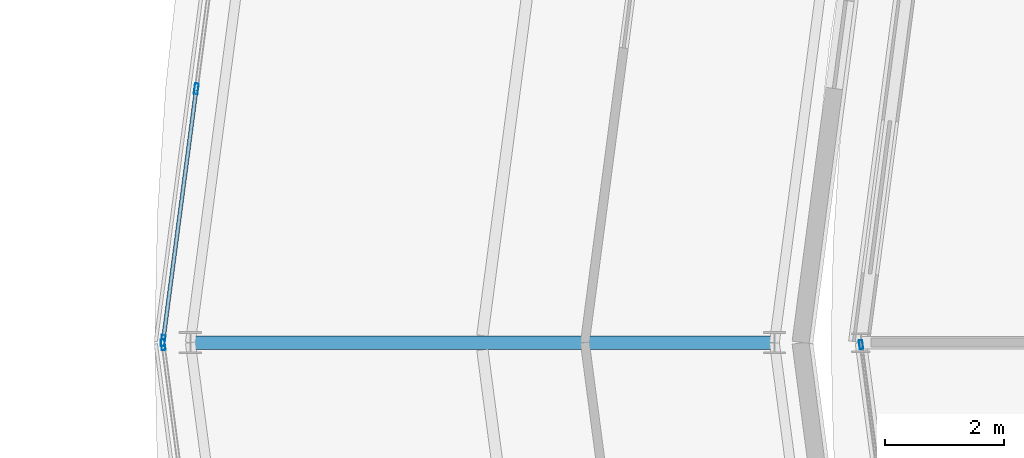
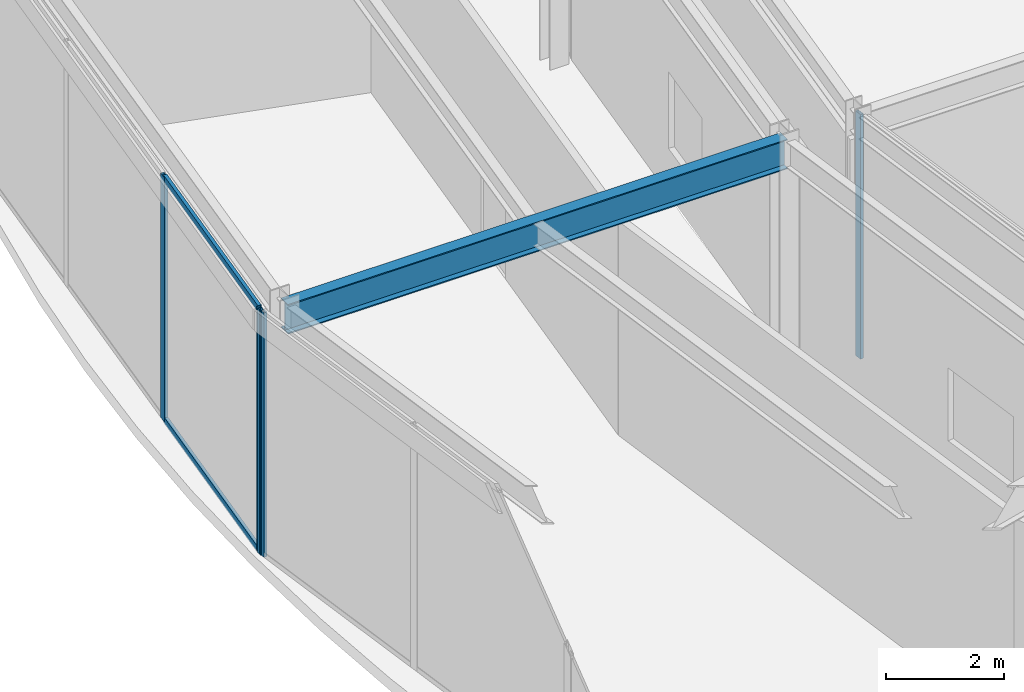
# One storey, part 37 of 168: 6 members, 1 beam, 3 elements without a shape of their own.
"""IFC4 building model written with IfcOpenShell, lengths in metres."""

import ifcopenshell
import ifcopenshell.guid

model = None  # the IFC model being written
_history = None  # IfcOwnerHistory: only IFC2X3 demands one
_inside = {}  # id of a spatial element -> (the spatial element, [elements in it])
_under = {}  # id of a project, library or spatial element -> (it, [spatial elements below it])
_declared = {}  # id of a project -> (the project, [libraries it declares])
_typed = {}  # id of a type object -> (the type object, [elements of that type])
_made_of = {}  # id of a material, layer set ... -> (it, [elements and type objects made of it])


def new_model(schema):
    """Start an empty IFC model of exactly this schema.

    Asked for "IFC4X3", IfcOpenShell would pick the latest addendum, in which some entities
    have other attributes; the version numbers below select the first issue.
    IFC2X3 requires an IfcOwnerHistory on every rooted entity: one is made here for all.
    """
    global model, _history
    if schema == "IFC4X3":
        model = ifcopenshell.file(schema_version=(4, 3, 0, 0))
    else:
        model = ifcopenshell.file(schema=schema)
    _inside.clear()
    _under.clear()
    _declared.clear()
    _typed.clear()
    _made_of.clear()
    _history = None
    if model.schema == "IFC2X3":
        org = make("IfcOrganization", Name="unknown")
        user = make(
            "IfcPersonAndOrganization",
            ThePerson=make("IfcPerson", FamilyName="unknown"),
            TheOrganization=org,
        )
        app = make(
            "IfcApplication",
            ApplicationDeveloper=org,
            Version="unknown",
            ApplicationFullName="unknown",
            ApplicationIdentifier="unknown",
        )
        _history = make(
            "IfcOwnerHistory",
            OwningUser=user,
            OwningApplication=app,
            ChangeAction="ADDED",
            CreationDate=0,
        )
    return model


def make(cls, **values):
    """One entity of the class cls with the attributes given. An attribute that is None is left unset."""
    return model.create_entity(
        cls, **{name: value for name, value in values.items() if value is not None}
    )


def rooted(cls, **values):
    """An entity with a GlobalId (a new one), such as an element, a storey or a relation."""
    return make(cls, GlobalId=ifcopenshell.guid.new(), OwnerHistory=_history, **values)


def si_unit(unit_type, name, prefix=None):
    """IfcSIUnit, for example si_unit("LENGTHUNIT", "METRE", prefix="MILLI")."""
    return make("IfcSIUnit", UnitType=unit_type, Prefix=prefix, Name=name)


def assignment(units):
    """IfcUnitAssignment: the units of a project."""
    return None if units is None else make("IfcUnitAssignment", Units=units)


def point(xyz):
    """IfcCartesianPoint."""
    return None if xyz is None else make("IfcCartesianPoint", Coordinates=xyz)


def direction(xyz):
    """IfcDirection."""
    return None if xyz is None else make("IfcDirection", DirectionRatios=xyz)


def frame(location, z_axis=None, x_axis=None):
    """IfcAxis2Placement3D, a coordinate frame: its origin and axes. An axis left out is left unset."""
    return make(
        "IfcAxis2Placement3D",
        Location=point(location),
        Axis=direction(z_axis),
        RefDirection=direction(x_axis),
    )


def frame_2d(location, x_axis=None):
    """IfcAxis2Placement2D, a coordinate frame in the plane: its origin and x axis."""
    return make(
        "IfcAxis2Placement2D", Location=point(location), RefDirection=direction(x_axis)
    )


def origin():
    """The frame at (0, 0, 0) with its axes left unset."""
    return frame((0.0, 0.0, 0.0))


def origin_2d():
    """The frame at (0, 0) in the plane with its x axis left unset."""
    return frame_2d((0.0, 0.0))


def place(relative_to, where):
    """IfcLocalPlacement: puts the frame where relative to a parent placement (None: the world)."""
    return make(
        "IfcLocalPlacement", PlacementRelTo=relative_to, RelativePlacement=where
    )


def context(
    kind, dimensions, precision=None, world=None, true_north=None, identifier=None
):
    """IfcGeometricRepresentationContext, for example the 3D "Model" context."""
    return make(
        "IfcGeometricRepresentationContext",
        ContextIdentifier=identifier,
        ContextType=kind,
        CoordinateSpaceDimension=dimensions,
        Precision=precision,
        WorldCoordinateSystem=world,
        TrueNorth=true_north,
    )


def subcontext(parent, identifier, kind, view, scale=None):
    """IfcGeometricRepresentationSubContext, for example "Body" below "Model"."""
    return make(
        "IfcGeometricRepresentationSubContext",
        ContextIdentifier=identifier,
        ContextType=kind,
        ParentContext=parent,
        TargetScale=scale,
        TargetView=view,
    )


def project(units=None, contexts=None):
    """IfcProject with its units and contexts."""
    return rooted(
        "IfcProject",
        Name="project",
        RepresentationContexts=contexts,
        UnitsInContext=assignment(units),
    )


def spatial(cls, under=None, at=None, **own):
    """A site, building, storey or space (cls), placed at a placement, below another one or the project."""
    s = rooted(cls, ObjectPlacement=at, **own)
    if under is not None:
        _under.setdefault(under.id(), (under, []))[1].append(s)
    return s


def profile(cls, at=None, kind="AREA", **sizes):
    """A parametric profile (cls). Its sizes go by their IFC names, for example OverallWidth=200.0."""
    return make(cls, ProfileType=kind, Position=at, **sizes)


def hollow_rectangle(**sizes):
    """IfcRectangleHollowProfileDef."""
    return profile("IfcRectangleHollowProfileDef", **sizes)


def i_section(**sizes):
    """IfcIShapeProfileDef."""
    return profile("IfcIShapeProfileDef", **sizes)


def extrude(swept, where, along, depth):
    """IfcExtrudedAreaSolid: the profile swept, set in the frame where, extruded along a direction by depth."""
    return make(
        "IfcExtrudedAreaSolid",
        SweptArea=swept,
        Position=where,
        ExtrudedDirection=direction(along),
        Depth=depth,
    )


def shape(context_of_items, identifier, shape_type, items):
    """IfcShapeRepresentation: the items that make up one representation, for example the "Body"."""
    return make(
        "IfcShapeRepresentation",
        ContextOfItems=context_of_items,
        RepresentationIdentifier=identifier,
        RepresentationType=shape_type,
        Items=items,
    )


def material(Name=None, Category=None):
    """IfcMaterial."""
    return make("IfcMaterial", Name=Name, Category=Category)


def material_profile(
    of_material, cross_section, Name=None, Category=None, Priority=None
):
    """IfcMaterialProfile: a cross section and its material."""
    return make(
        "IfcMaterialProfile",
        Name=Name,
        Material=of_material,
        Profile=cross_section,
        Priority=Priority,
        Category=Category,
    )


def profile_set(profiles, Name=None, composite=None):
    """IfcMaterialProfileSet."""
    return make(
        "IfcMaterialProfileSet",
        Name=Name,
        MaterialProfiles=profiles,
        CompositeProfile=composite,
    )


def made_of(thing, what):
    """Note that an element or type object is made of a material, layer set ...; save() writes the relation."""
    if what is not None:
        _made_of.setdefault(what.id(), (what, []))[1].append(thing)
    return thing


def type_object(cls, material=None, **own):
    """A type object (cls), such as IfcWallType, which elements share."""
    return made_of(rooted(cls, **own), material)


def element(
    cls,
    number,
    at=None,
    inside=None,
    cuts=None,
    type_object=None,
    material=None,
    context=None,
    identifier="Body",
    shape_type=None,
    held_by="IfcProductDefinitionShape",
    body=None,
    shapes=None,
    **own,
):
    """One element of the class cls, such as IfcWall. Its Tag is "e" and its number.

    at: its placement. inside: the storey or other place that contains it. cuts: it is an
    opening in that element (IfcRelVoidsElement). A single representation is given by context,
    identifier, shape_type and body (its items); several are given by shapes. held_by: the class
    of the entity that holds the representations. save() writes the other relations.
    """
    e = rooted(cls, Tag="e%d" % number, ObjectPlacement=at, **own)
    if body is not None:
        shapes = [shape(context, identifier, shape_type, body)]
    if shapes is not None:
        e.Representation = make(held_by, Representations=shapes)
    if inside is not None:
        _inside.setdefault(inside.id(), (inside, []))[1].append(e)
    if cuts is not None:
        rooted(
            "IfcRelVoidsElement", RelatingBuildingElement=cuts, RelatedOpeningElement=e
        )
    if type_object is not None:
        _typed.setdefault(type_object.id(), (type_object, []))[1].append(e)
    return made_of(e, material)


def aggregate(whole, parts):
    """IfcRelAggregates: a whole, such as a stair, and the parts it consists of."""
    return rooted("IfcRelAggregates", RelatingObject=whole, RelatedObjects=parts)


def save(model, path):
    """Write the relations noted so far, then the file.

    IfcRelAggregates (storeys below a building ...), IfcRelContainedInSpatialStructure (elements
    in a storey), IfcRelDefinesByType, IfcRelAssociatesMaterial and IfcRelDeclares: one each for
    every whole, place, type object, material and project.
    """
    for whole, parts in _under.values():
        aggregate(whole, parts)
    for where, things in _inside.values():
        rooted(
            "IfcRelContainedInSpatialStructure",
            RelatedElements=things,
            RelatingStructure=where,
        )
    for kind, things in _typed.values():
        rooted("IfcRelDefinesByType", RelatedObjects=things, RelatingType=kind)
    for what, things in _made_of.values():
        rooted("IfcRelAssociatesMaterial", RelatedObjects=things, RelatingMaterial=what)
    for by, libraries in _declared.values():
        rooted("IfcRelDeclares", RelatingContext=by, RelatedDefinitions=libraries)
    model.write(path)


model = new_model("IFC4")

# Units and contexts
model_context = context("Model", 3, precision=1e-05, world=origin(), true_north=direction((0.0, 1.0)))
body_context = subcontext(model_context, "Body", "Model", "MODEL_VIEW")
ifc_project = project(units=[si_unit("LENGTHUNIT", "METRE"), si_unit("AREAUNIT", "SQUARE_METRE"), si_unit("VOLUMEUNIT", "CUBIC_METRE"), si_unit("PLANEANGLEUNIT", "RADIAN"), si_unit("MASSUNIT", "GRAM", prefix="KILO")], contexts=[model_context])

# Site, building, storey
site_placement = place(None, origin())
site = spatial("IfcSite", under=ifc_project, at=site_placement, CompositionType="ELEMENT")
building_placement = place(site_placement, origin())
building = spatial("IfcBuilding", under=site, at=building_placement, Name="Almandine Court Research Institute", CompositionType="ELEMENT")
storey_placement = place(building_placement, origin())
storey = spatial("IfcBuildingStorey", under=building, at=storey_placement, Name="L00", CompositionType="ELEMENT", Elevation=0.0)

# Beam
ifc_material_1 = material(Name="Steel ASTM A992 Grade 50", Category="steel")
ifc_material_profile_1 = material_profile(ifc_material_1, i_section(OverallWidth=0.22998046875, OverallDepth=0.616943359375, WebThickness=0.012939453125, FlangeThickness=0.02197265625, at=origin_2d()), Name="W610x140")
ifc_profile_set_1 = profile_set([ifc_material_profile_1], Name="Steel ASTM A992 Grade 50")
beam_type = type_object("IfcBeamType", Name="Beam-G-02", PredefinedType="BEAM", material=ifc_profile_set_1)
beam_placement = place(storey_placement, frame((47.89990234375, 56.0, 4.760986328125), z_axis=(-1.0, 0.0, 0.0), x_axis=(0.0, -1.0, 0.0)))
element("IfcBeam", 1, at=beam_placement, inside=storey, type_object=beam_type, Name="L00 Drum Radial Girder 12", PredefinedType="BEAM", context=body_context, shape_type="SweptSolid", body=[
    extrude(i_section(OverallWidth=0.22998046875, OverallDepth=0.616943359375, WebThickness=0.012939453125, FlangeThickness=0.02197265625, at=origin_2d()), origin(), (0.0, 0.0, 1.0), 9.7998046875),
])

# Curtain wall, member
ifc_material_2 = material(Name="Unitised Curtain Wall Framing and Solar Glazing", Category="glass")
curtain_wall_type_1 = type_object("IfcCurtainWallType", Name="CW-CWG-23", PredefinedType="USERDEFINED", material=ifc_material_2)
curtain_wall_1_placement = place(storey_placement, origin())
curtain_wall_1 = element("IfcCurtainWall", 2, at=curtain_wall_1_placement, inside=storey, type_object=curtain_wall_type_1, Name="L00 Interaction Atrium Perimeter Curtain Wall 12", ObjectType="UNITISED GLAZING", PredefinedType="USERDEFINED")
ifc_material_3 = material(Name="Anodised Aluminium AW-6063-T6", Category="aluminium")
ifc_material_profile_2 = material_profile(ifc_material_3, hollow_rectangle(XDim=0.06005859375, YDim=0.14990234375, WallThickness=0.00390625, at=origin_2d()), Name="ALU RHS 60x150x4")
ifc_profile_set_2 = profile_set([ifc_material_profile_2], Name="Anodised Aluminium AW-6063-T6")
member_type_1 = type_object("IfcMemberType", Name="CWMul-60x150", PredefinedType="MULLION", material=ifc_profile_set_2)
member_1_placement = place(storey_placement, frame((49.35400390625, 55.96630859375, 0.0), z_axis=(0.0, 0.0, 1.0), x_axis=(-0.991443548509, -0.130536164028, 0.0)))
member_1 = element("IfcMember", 3, at=member_1_placement, type_object=member_type_1, Name="CWG-23 mullion 3", PredefinedType="MULLION", context=body_context, shape_type="SweptSolid", body=[
    extrude(hollow_rectangle(XDim=0.06005859375, YDim=0.14990234375, WallThickness=0.00390625, at=origin_2d()), origin(), (0.0, 0.0, 1.0), 5.070068359375),
])
aggregate(curtain_wall_1, [member_1])

# Curtain wall, members
curtain_wall_type_2 = type_object("IfcCurtainWallType", Name="CW-CWJ-17", PredefinedType="USERDEFINED", material=ifc_material_2)
curtain_wall_2_placement = place(storey_placement, origin())
curtain_wall_2 = element("IfcCurtainWall", 4, at=curtain_wall_2_placement, inside=storey, type_object=curtain_wall_type_2, Name="L00 Stacked-Ring Drum Outer Solar Jali Screen 11", ObjectType="SOLAR JALI SCREEN", PredefinedType="USERDEFINED")
ifc_material_profile_3 = material_profile(ifc_material_3, hollow_rectangle(XDim=0.06494140625, YDim=0.179931640625, WallThickness=0.00390625, at=origin_2d()), Name="ALU RHS 65x180x4")
ifc_profile_set_3 = profile_set([ifc_material_profile_3], Name="Anodised Aluminium AW-6063-T6")
member_type_2 = type_object("IfcMemberType", Name="CWMul-65x180", PredefinedType="MULLION", material=ifc_profile_set_3)
member_2_placement = place(storey_placement, frame((37.644287109375, 56.0361328125, 0.0), z_axis=(0.0, 0.0, 1.0), x_axis=(-0.991442926098, 0.130540891259, 0.0)))
member_2 = element("IfcMember", 5, at=member_2_placement, type_object=member_type_2, Name="CWJ-17 mullion 1", PredefinedType="MULLION", context=body_context, shape_type="SweptSolid", body=[
    extrude(hollow_rectangle(XDim=0.06494140625, YDim=0.179931640625, WallThickness=0.00390625, at=origin_2d()), origin(), (0.0, 0.0, 1.0), 5.070068359375),
])
member_3_placement = place(storey_placement, frame((38.200439453125, 60.259765625, 0.0), z_axis=(0.0, 0.0, 1.0), x_axis=(-0.991442926098, 0.130540891259, 0.0)))
member_3 = element("IfcMember", 6, at=member_3_placement, type_object=member_type_2, Name="CWJ-17 mullion 2", PredefinedType="MULLION", context=body_context, shape_type="SweptSolid", body=[
    extrude(hollow_rectangle(XDim=0.06494140625, YDim=0.179931640625, WallThickness=0.00390625, at=origin_2d()), origin(), (0.0, 0.0, 1.0), 5.070068359375),
])

# Curtain wall, member
curtain_wall_3_placement = place(storey_placement, origin())
curtain_wall_3 = element("IfcCurtainWall", 7, at=curtain_wall_3_placement, inside=storey, type_object=curtain_wall_type_2, Name="L00 Stacked-Ring Drum Outer Solar Jali Screen 12", ObjectType="SOLAR JALI SCREEN", PredefinedType="USERDEFINED")
member_4_placement = place(storey_placement, frame((37.644287109375, 55.9638671875, 0.0), z_axis=(0.0, 0.0, 1.0), x_axis=(-0.991442926098, -0.130540891259, 0.0)))
member_4 = element("IfcMember", 8, at=member_4_placement, type_object=member_type_2, Name="CWJ-17 mullion 4", PredefinedType="MULLION", context=body_context, shape_type="SweptSolid", body=[
    extrude(hollow_rectangle(XDim=0.06494140625, YDim=0.179931640625, WallThickness=0.00390625, at=origin_2d()), origin(), (0.0, 0.0, 1.0), 5.070068359375),
])
aggregate(curtain_wall_3, [member_4])

# Member
ifc_material_profile_4 = material_profile(ifc_material_3, hollow_rectangle(XDim=0.06494140625, YDim=0.1298828125, WallThickness=0.00390625, at=origin_2d()), Name="ALU RHS 65x130x4")
ifc_profile_set_4 = profile_set([ifc_material_profile_4], Name="Anodised Aluminium AW-6063-T6")
member_type_3 = type_object("IfcMemberType", Name="CWTrn-65x130", PredefinedType="NOTDEFINED", material=ifc_profile_set_4)
member_5_placement = place(storey_placement, frame((37.6484375, 56.068359375, 0.032470703125), z_axis=(0.130535805655, 0.991443595694, 0.0), x_axis=(-0.991443595694, 0.130535805655, 0.0)))
member_5 = element("IfcMember", 9, at=member_5_placement, type_object=member_type_3, Name="CWJ-17 transom 1.1", ObjectType="TRANSOM", PredefinedType="USERDEFINED", context=body_context, shape_type="SweptSolid", body=[
    extrude(hollow_rectangle(XDim=0.06494140625, YDim=0.1298828125, WallThickness=0.00390625, at=origin_2d()), origin(), (0.0, 0.0, 1.0), 4.195068359375),
])

member_6_placement = place(storey_placement, frame((37.6484375, 56.068359375, 5.03759765625), z_axis=(0.130535805655, 0.991443595694, 0.0), x_axis=(-0.991443595694, 0.130535805655, 0.0)))
member_6 = element("IfcMember", 10, at=member_6_placement, type_object=member_type_3, Name="CWJ-17 transom 1.2", ObjectType="TRANSOM", PredefinedType="USERDEFINED", context=body_context, shape_type="SweptSolid", body=[
    extrude(hollow_rectangle(XDim=0.06494140625, YDim=0.1298828125, WallThickness=0.00390625, at=origin_2d()), origin(), (0.0, 0.0, 1.0), 4.195068359375),
])

aggregate(curtain_wall_2, [member_2, member_3, member_5, member_6])

save(model, "model.ifc")
